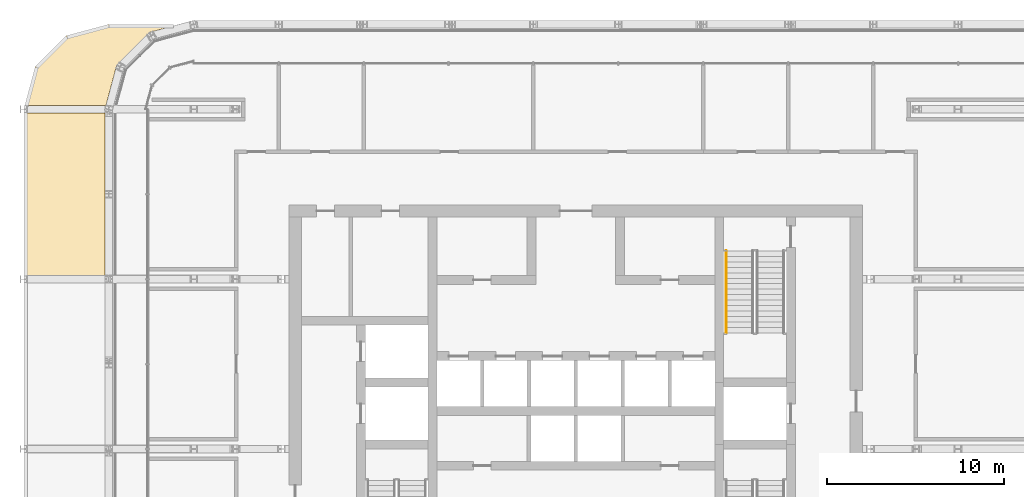
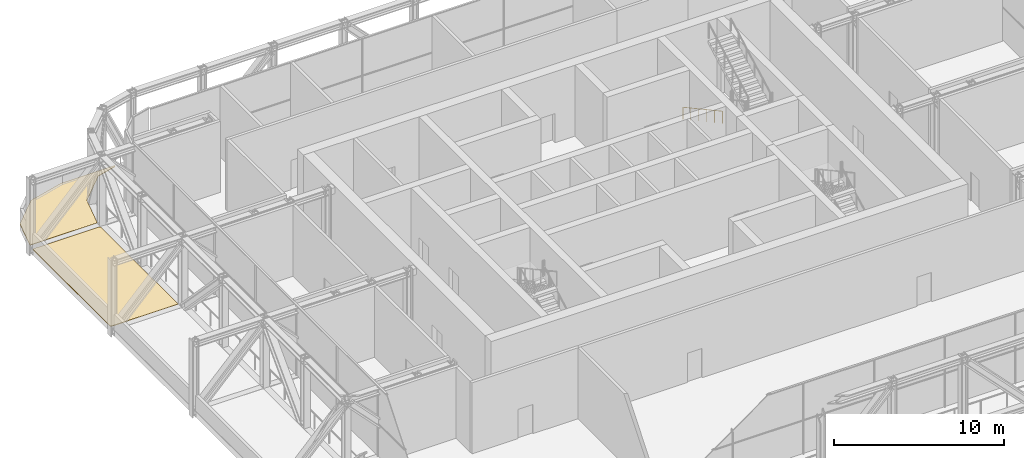
# One storey, part 29 of 30: 2 coverings, 1 railing.
"""IFC4 building model written with IfcOpenShell, lengths in metres."""

from ifc_helpers import new_model, si_unit, direction, frame, origin, origin_2d, place, context, subcontext, project, spatial, polyline, circle, outline, extrude, material, layer, layer_set, type_object, element, save


model = new_model("IFC4")

# Units and contexts
model_context = context("Model", 3, precision=1e-05, world=origin(), true_north=direction((0.0, 1.0)))
body_context = subcontext(model_context, "Body", "Model", "MODEL_VIEW")
ifc_project = project(units=[si_unit("LENGTHUNIT", "METRE"), si_unit("AREAUNIT", "SQUARE_METRE"), si_unit("VOLUMEUNIT", "CUBIC_METRE"), si_unit("PLANEANGLEUNIT", "RADIAN"), si_unit("MASSUNIT", "GRAM", prefix="KILO")], contexts=[model_context])

# Site, building, storey
site_placement = place(None, origin())
site = spatial("IfcSite", under=ifc_project, at=site_placement, CompositionType="ELEMENT")
building_placement = place(site_placement, origin())
building = spatial("IfcBuilding", under=site, at=building_placement, Name="Madar Terraces", CompositionType="ELEMENT")
storey_placement = place(building_placement, frame((0.0, 0.0, 173.5)))
storey = spatial("IfcBuildingStorey", under=building, at=storey_placement, Name="L45", CompositionType="ELEMENT", Elevation=173.5)

# Railing
ifc_material_1 = material(Name="Stainless steel railing", Category="steel")
railing_type = type_object("IfcRailingType", Name="Stair handrail 900", PredefinedType="HANDRAIL", material=ifc_material_1)
railing_placement = place(storey_placement, frame((39.699951171875, 35.199951171875, 0.168701171875)))
element("IfcRailing", 1, at=railing_placement, inside=storey, type_object=railing_type, Name="L45 ST2 stair handrail 1", PredefinedType="HANDRAIL", context=body_context, shape_type="SweptSolid", body=[
    extrude(circle(Radius=0.02392578125, at=origin_2d()), frame((0.0, 0.0, 0.8759765625), z_axis=(0.0, -0.878297076953, 0.478115304728), x_axis=(1.0, 0.0, 0.0)), (0.0, 0.0, 1.0), 5.294189453125),
    extrude(circle(Radius=0.02099609375, at=origin_2d()), origin(), (0.0, 0.0, 1.0), 0.851806640625),
    extrude(circle(Radius=0.02099609375, at=origin_2d()), frame((0.0, -0.929931640625, 0.50634765625)), (0.0, 0.0, 1.0), 0.851806640625),
    extrude(circle(Radius=0.02099609375, at=origin_2d()), frame((0.0, -1.85986328125, 1.012451171875)), (0.0, 0.0, 1.0), 0.851806640625),
    extrude(circle(Radius=0.02099609375, at=origin_2d()), frame((0.0, -2.7900390625, 1.518798828125)), (0.0, 0.0, 1.0), 0.851806640625),
    extrude(circle(Radius=0.02099609375, at=origin_2d()), frame((0.0, -3.719970703125, 2.02490234375)), (0.0, 0.0, 1.0), 0.851806640625),
    extrude(circle(Radius=0.02099609375, at=origin_2d()), frame((0.0, -4.64990234375, 2.53125)), (0.0, 0.0, 1.0), 0.851806640625),
])

# Coverings
ifc_material_2 = material(Name="Porcelain paving slabs on pedestals")
ifc_layer = layer(ifc_material_2, 0.0400390625)
ifc_layer_set = layer_set([ifc_layer], Name="Terrace paving 40")
covering_type = type_object("IfcCoveringType", Name="Terrace paving 40", PredefinedType="FLOORING", material=ifc_layer_set)
covering_1_placement = place(storey_placement, origin())
element("IfcCovering", 2, at=covering_1_placement, inside=storey, type_object=covering_type, Name="Terrace paving", PredefinedType="FLOORING", context=body_context, shape_type="SweptSolid", body=[
    extrude(outline(polyline([(0.002197265625, 42.95361328125), (0.00390625, 42.958251953125), (0.005859375, 42.962646484375), (0.00830078125, 42.967041015625), (0.01123046875, 42.970947265625), (0.0146484375, 42.974609375), (0.018310546875, 42.977783203125), (0.022216796875, 42.980712890625), (0.0263671875, 42.9833984375), (0.031005859375, 42.9853515625), (0.035400390625, 42.987060546875), (0.040283203125, 42.98828125), (0.045166015625, 42.989013671875), (0.050048828125, 42.9892578125), (4.539306640625, 42.9892578125), (4.544189453125, 42.989013671875), (4.548828125, 42.98828125), (4.5537109375, 42.987060546875), (4.558349609375, 42.9853515625), (4.562744140625, 42.9833984375), (4.56689453125, 42.980712890625), (4.57080078125, 42.977783203125), (4.574462890625, 42.974609375), (4.577880859375, 42.970947265625), (4.580810546875, 42.967041015625), (4.583251953125, 42.962646484375), (4.58544921875, 42.958251953125), (4.5869140625, 42.95361328125), (4.588134765625, 42.948974609375), (4.5888671875, 42.944091796875), (4.589111328125, 42.939208984375), (4.589111328125, 33.86083984375), (4.5888671875, 33.85595703125), (4.588134765625, 33.85107421875), (4.5869140625, 33.84619140625), (4.58544921875, 33.841796875), (4.583251953125, 33.83740234375), (4.580810546875, 33.8330078125), (4.577880859375, 33.8291015625), (4.574462890625, 33.825439453125), (4.57080078125, 33.822265625), (4.56689453125, 33.819091796875), (4.562744140625, 33.816650390625), (4.558349609375, 33.814697265625), (4.5537109375, 33.81298828125), (4.548828125, 33.811767578125), (4.544189453125, 33.81103515625), (4.539306640625, 33.810791015625), (0.050048828125, 33.810791015625), (0.045166015625, 33.81103515625), (0.040283203125, 33.811767578125), (0.035400390625, 33.81298828125), (0.031005859375, 33.814697265625), (0.0263671875, 33.816650390625), (0.022216796875, 33.819091796875), (0.018310546875, 33.822265625), (0.0146484375, 33.825439453125), (0.01123046875, 33.8291015625), (0.00830078125, 33.8330078125), (0.005859375, 33.83740234375), (0.00390625, 33.841796875), (0.002197265625, 33.84619140625), (0.0009765625, 33.85107421875), (0.000244140625, 33.85595703125), (0.0, 33.86083984375), (0.0, 42.939208984375), (0.000244140625, 42.944091796875), (0.0009765625, 42.948974609375), (0.002197265625, 42.95361328125)])), origin(), (0.0, 0.0, 1.0), 0.0400390625),
])
covering_2_placement = place(storey_placement, origin())
element("IfcCovering", 3, at=covering_2_placement, inside=storey, type_object=covering_type, Name="Terrace paving", PredefinedType="FLOORING", context=body_context, shape_type="SweptSolid", body=[
    extrude(outline(polyline([(0.64599609375, 45.601318359375), (0.64892578125, 45.605712890625), (0.652587890625, 45.609619140625), (2.390380859375, 47.347412109375), (2.394287109375, 47.35107421875), (2.398681640625, 47.35400390625), (2.4033203125, 47.356689453125), (2.407958984375, 47.35888671875), (2.412841796875, 47.3603515625), (4.793701171875, 47.998291015625), (4.7978515625, 47.999267578125), (4.80224609375, 47.999755859375), (4.806640625, 48.0), (8.40576171875, 48.0), (8.41064453125, 47.999755859375), (8.41552734375, 47.9990234375), (8.42041015625, 47.997802734375), (8.425048828125, 47.99609375), (8.429443359375, 47.993896484375), (8.43359375, 47.991455078125), (8.437744140625, 47.98828125), (8.44140625, 47.985107421875), (8.444580078125, 47.981201171875), (8.447509765625, 47.977294921875), (8.4501953125, 47.972900390625), (8.4521484375, 47.968505859375), (8.45361328125, 47.9638671875), (8.454833984375, 47.958984375), (8.45556640625, 47.9541015625), (8.455810546875, 47.94921875), (8.455322265625, 47.944091796875), (8.45458984375, 47.939208984375), (8.453125, 47.9345703125), (8.451416015625, 47.9296875), (8.44921875, 47.92529296875), (8.446533203125, 47.921142578125), (8.443603515625, 47.917236328125), (8.440185546875, 47.913818359375), (8.436279296875, 47.910400390625), (8.43212890625, 47.90771484375), (8.427978515625, 47.9052734375), (8.42333984375, 47.9033203125), (8.418701171875, 47.901611328125), (7.092041015625, 47.54638671875), (7.0908203125, 47.5458984375), (7.08984375, 47.544921875), (5.2548828125, 45.710205078125), (5.254150390625, 45.708984375), (5.253662109375, 45.7080078125), (4.648193359375, 43.447998046875), (4.646484375, 43.443115234375), (4.64453125, 43.4384765625), (4.64208984375, 43.43408203125), (4.63916015625, 43.429931640625), (4.635986328125, 43.42626953125), (4.63232421875, 43.422607421875), (4.62841796875, 43.419677734375), (4.6240234375, 43.4169921875), (4.619384765625, 43.414794921875), (4.61474609375, 43.4130859375), (4.60986328125, 43.411865234375), (4.60498046875, 43.4111328125), (4.599853515625, 43.410888671875), (0.12158203125, 43.410888671875), (0.11669921875, 43.4111328125), (0.112060546875, 43.41162109375), (0.107421875, 43.412841796875), (0.102783203125, 43.41455078125), (0.098388671875, 43.41650390625), (0.09423828125, 43.4189453125), (0.09033203125, 43.421875), (0.0869140625, 43.425048828125), (0.08349609375, 43.428466796875), (0.08056640625, 43.432373046875), (0.077880859375, 43.436279296875), (0.075927734375, 43.440673828125), (0.07421875, 43.4453125), (0.072998046875, 43.449951171875), (0.072021484375, 43.45458984375), (0.07177734375, 43.45947265625), (0.07177734375, 43.46435546875), (0.072265625, 43.468994140625), (0.073486328125, 43.473876953125), (0.6396484375, 45.587158203125), (0.64111328125, 45.592041015625), (0.643310546875, 45.5966796875), (0.64599609375, 45.601318359375)])), origin(), (0.0, 0.0, 1.0), 0.0400390625),
])

save(model, "model.ifc")
